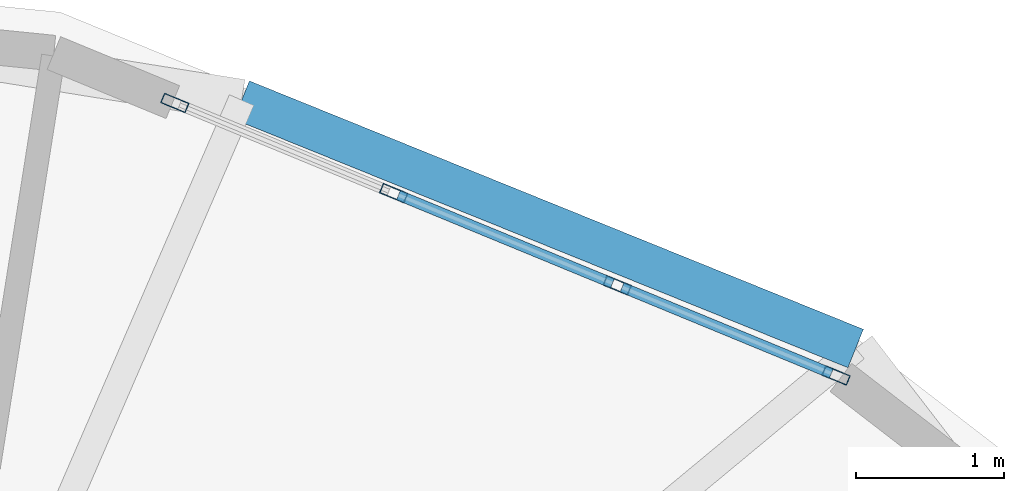
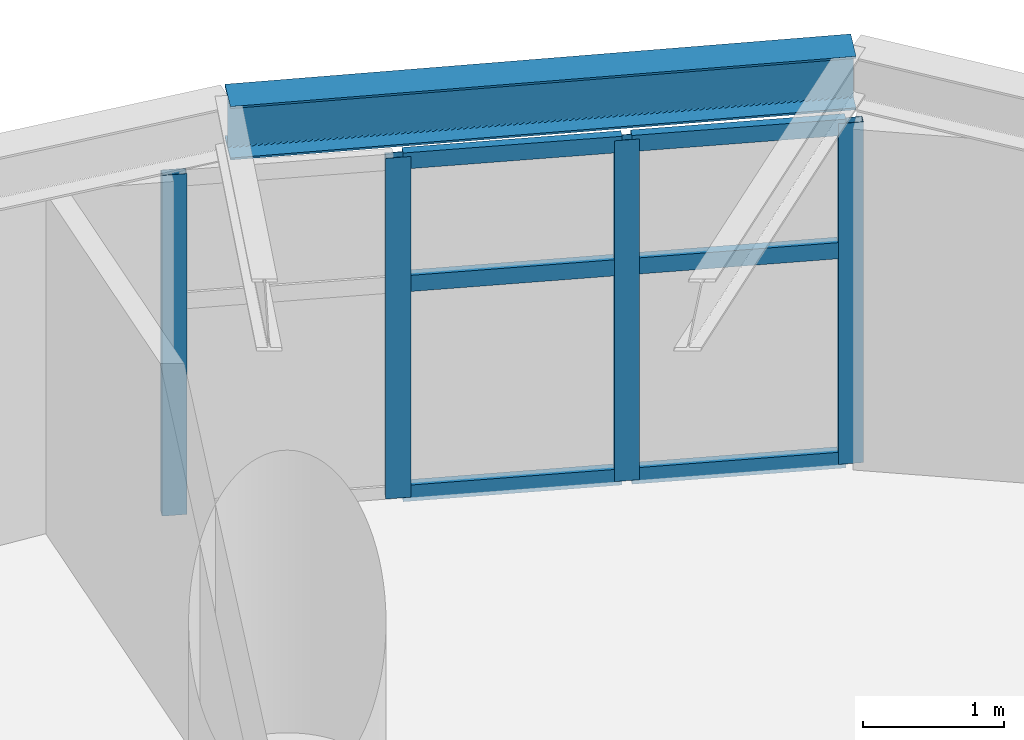
# One storey, part 10 of 19: 10 members, 1 beam, 1 element without a shape of its own.
"""IFC4 building model written with IfcOpenShell, lengths in metres."""

from ifc_helpers import new_model, si_unit, direction, frame, origin, origin_2d, place, context, subcontext, project, spatial, hollow_rectangle, i_section, extrude, material, layer, layer_set, material_profile, profile_set, type_object, element, aggregate, save


model = new_model("IFC4")

# Units and contexts
model_context = context("Model", 3, precision=1e-05, world=origin(), true_north=direction((0.0, 1.0)))
body_context = subcontext(model_context, "Body", "Model", "MODEL_VIEW")
ifc_project = project(units=[si_unit("LENGTHUNIT", "METRE"), si_unit("AREAUNIT", "SQUARE_METRE"), si_unit("VOLUMEUNIT", "CUBIC_METRE"), si_unit("PLANEANGLEUNIT", "RADIAN"), si_unit("MASSUNIT", "GRAM", prefix="KILO")], contexts=[model_context])

# Site, building, storey
site_placement = place(None, origin())
site = spatial("IfcSite", under=ifc_project, at=site_placement, CompositionType="ELEMENT")
building_placement = place(site_placement, origin())
building = spatial("IfcBuilding", under=site, at=building_placement, Name="Cununo Teusaquillo Station Towers", CompositionType="ELEMENT")
storey_placement = place(building_placement, frame((0.0, 0.0, 132.8798828125)))
storey = spatial("IfcBuildingStorey", under=building, at=storey_placement, Name="L42", CompositionType="ELEMENT", Elevation=132.8798828125)

# Beam
ifc_material_1 = material(Name="Steel ASTM A572 Grade 50", Category="steel")
ifc_material_profile_1 = material_profile(ifc_material_1, i_section(OverallWidth=0.280029296875, OverallDepth=0.462890625, WebThickness=0.0107421875, FlangeThickness=0.017333984375, FilletRadius=0.013916015625, at=origin_2d()), Name="W18X76")
ifc_profile_set_1 = profile_set([ifc_material_profile_1], Name="Steel ASTM A572 Grade 50")
beam_type = type_object("IfcBeamType", Name="BM-RING-Z2", PredefinedType="SPANDREL", material=ifc_profile_set_1)
beam_placement = place(storey_placement, frame((63.9111328125, 39.341064453125, 3.20849609375), z_axis=(-0.927007712072, 0.375042266631, 0.0), x_axis=(-0.375042266631, -0.927007712072, 0.0)))
element("IfcBeam", 1, at=beam_placement, inside=storey, type_object=beam_type, Name="L42 Tower B Spandrel Ring Beam 02", PredefinedType="SPANDREL", context=body_context, shape_type="SweptSolid", body=[
    extrude(i_section(OverallWidth=0.280029296875, OverallDepth=0.462890625, WebThickness=0.0107421875, FlangeThickness=0.017333984375, FilletRadius=0.013916015625, at=origin_2d()), origin(), (0.0, 0.0, 1.0), 4.480712890625),
])

# Curtain wall, members
ifc_material_2 = material(Name="Ceramic-fritted dark low-E double glazing", Category="glass")
ifc_layer = layer(ifc_material_2, 0.179931640625)
ifc_layer_set = layer_set([ifc_layer], Name="Ceramic-fritted dark low-E double glazing")
curtain_wall_type = type_object("IfcCurtainWallType", Name="CW-SYS-04", PredefinedType="USERDEFINED", material=ifc_layer_set)
curtain_wall_placement = place(storey_placement, origin())
curtain_wall = element("IfcCurtainWall", 2, at=curtain_wall_placement, inside=storey, type_object=curtain_wall_type, Name="L42 Tower B Facade Curtain Wall C01", ObjectType="FRITTED GLAZING", PredefinedType="USERDEFINED")
ifc_material_3 = material(Name="Anodised dark bronze aluminium EN AW-6063-T6", Category="aluminium")
ifc_material_profile_2 = material_profile(ifc_material_3, hollow_rectangle(XDim=0.070068359375, YDim=0.179931640625, WallThickness=0.00390625, at=origin_2d()), Name="CW-MULL-70x180")
ifc_profile_set_2 = profile_set([ifc_material_profile_2], Name="Anodised dark bronze aluminium EN AW-6063-T6")
member_type_1 = type_object("IfcMemberType", Name="CWM-180", PredefinedType="MULLION", material=ifc_profile_set_2)
member_1_placement = place(storey_placement, frame((59.3056640625, 41.001953125, 0.0), z_axis=(0.0, 0.0, 1.0), x_axis=(0.381030560176, 0.924562443652, 0.0)))
member_1 = element("IfcMember", 3, at=member_1_placement, type_object=member_type_1, Name="CW-04 mullion 1", PredefinedType="MULLION", context=body_context, shape_type="SweptSolid", body=[
    extrude(hollow_rectangle(XDim=0.070068359375, YDim=0.179931640625, WallThickness=0.00390625, at=origin_2d()), origin(), (0.0, 0.0, 1.0), 2.94921875),
])
member_2_placement = place(storey_placement, frame((60.785888671875, 40.39208984375, 0.0), z_axis=(0.0, 0.0, 1.0), x_axis=(0.381030560176, 0.924562443652, 0.0)))
member_2 = element("IfcMember", 4, at=member_2_placement, type_object=member_type_1, Name="CW-04 mullion 2", PredefinedType="MULLION", context=body_context, shape_type="SweptSolid", body=[
    extrude(hollow_rectangle(XDim=0.070068359375, YDim=0.179931640625, WallThickness=0.00390625, at=origin_2d()), origin(), (0.0, 0.0, 1.0), 2.94921875),
])
member_3_placement = place(storey_placement, frame((62.298583984375, 39.7685546875, 0.0), z_axis=(0.0, 0.0, 1.0), x_axis=(0.381030560176, 0.924562443652, 0.0)))
member_3 = element("IfcMember", 5, at=member_3_placement, type_object=member_type_1, Name="CW-04 mullion 3", PredefinedType="MULLION", context=body_context, shape_type="SweptSolid", body=[
    extrude(hollow_rectangle(XDim=0.070068359375, YDim=0.179931640625, WallThickness=0.00390625, at=origin_2d()), origin(), (0.0, 0.0, 1.0), 2.94921875),
])
member_4_placement = place(storey_placement, frame((63.77880859375, 39.158447265625, 0.0), z_axis=(0.0, 0.0, 1.0), x_axis=(0.381030560176, 0.924562443652, 0.0)))
member_4 = element("IfcMember", 6, at=member_4_placement, type_object=member_type_1, Name="CW-04 mullion 4", PredefinedType="MULLION", context=body_context, shape_type="SweptSolid", body=[
    extrude(hollow_rectangle(XDim=0.070068359375, YDim=0.179931640625, WallThickness=0.00390625, at=origin_2d()), origin(), (0.0, 0.0, 1.0), 2.94921875),
])
ifc_material_4 = material(Name="Anodised dark bronze aluminium EN AW-6063-T6", Category="aluminium")
ifc_material_profile_3 = material_profile(ifc_material_4, hollow_rectangle(XDim=0.070068359375, YDim=0.139892578125, WallThickness=0.00390625, at=origin_2d()), Name="CW-TRAN-70x140")
ifc_profile_set_3 = profile_set([ifc_material_profile_3], Name="Anodised dark bronze aluminium EN AW-6063-T6")
member_type_2 = type_object("IfcMemberType", Name="CWT-140", PredefinedType="USERDEFINED", material=ifc_profile_set_3)
member_5_placement = place(storey_placement, frame((60.818115234375, 40.378662109375, 0.03515625), z_axis=(0.924577983912, -0.380992849887, 0.0), x_axis=(0.380992849887, 0.924577983912, 0.0)))
member_5 = element("IfcMember", 7, at=member_5_placement, type_object=member_type_2, Name="CW-04 transom 2.1", ObjectType="TRANSOM", PredefinedType="USERDEFINED", context=body_context, shape_type="SweptSolid", body=[
    extrude(hollow_rectangle(XDim=0.070068359375, YDim=0.139892578125, WallThickness=0.00390625, at=origin_2d()), origin(), (0.0, 0.0, 1.0), 1.566162109375),
])
member_6_placement = place(storey_placement, frame((60.818115234375, 40.378662109375, 1.85009765625), z_axis=(0.924577983912, -0.380992849887, 0.0), x_axis=(0.380992849887, 0.924577983912, 0.0)))
member_6 = element("IfcMember", 8, at=member_6_placement, type_object=member_type_2, Name="CW-04 transom 2.2", ObjectType="TRANSOM", PredefinedType="USERDEFINED", context=body_context, shape_type="SweptSolid", body=[
    extrude(hollow_rectangle(XDim=0.070068359375, YDim=0.139892578125, WallThickness=0.00390625, at=origin_2d()), origin(), (0.0, 0.0, 1.0), 1.566162109375),
])
member_7_placement = place(storey_placement, frame((60.818115234375, 40.378662109375, 2.9140625), z_axis=(0.924577983912, -0.380992849887, 0.0), x_axis=(0.380992849887, 0.924577983912, 0.0)))
member_7 = element("IfcMember", 9, at=member_7_placement, type_object=member_type_2, Name="CW-04 transom 2.3", ObjectType="TRANSOM", PredefinedType="USERDEFINED", context=body_context, shape_type="SweptSolid", body=[
    extrude(hollow_rectangle(XDim=0.070068359375, YDim=0.139892578125, WallThickness=0.00390625, at=origin_2d()), origin(), (0.0, 0.0, 1.0), 1.566162109375),
])
member_8_placement = place(storey_placement, frame((62.330810546875, 39.75537109375, 0.03515625), z_axis=(0.924555881283, -0.381046483233, 0.0), x_axis=(0.381046483233, 0.924555881283, 0.0)))
member_8 = element("IfcMember", 10, at=member_8_placement, type_object=member_type_2, Name="CW-04 transom 3.1", ObjectType="TRANSOM", PredefinedType="USERDEFINED", context=body_context, shape_type="SweptSolid", body=[
    extrude(hollow_rectangle(XDim=0.070068359375, YDim=0.139892578125, WallThickness=0.00390625, at=origin_2d()), origin(), (0.0, 0.0, 1.0), 1.53125),
])
member_9_placement = place(storey_placement, frame((62.330810546875, 39.75537109375, 1.85009765625), z_axis=(0.924555881283, -0.381046483233, 0.0), x_axis=(0.381046483233, 0.924555881283, 0.0)))
member_9 = element("IfcMember", 11, at=member_9_placement, type_object=member_type_2, Name="CW-04 transom 3.2", ObjectType="TRANSOM", PredefinedType="USERDEFINED", context=body_context, shape_type="SweptSolid", body=[
    extrude(hollow_rectangle(XDim=0.070068359375, YDim=0.139892578125, WallThickness=0.00390625, at=origin_2d()), origin(), (0.0, 0.0, 1.0), 1.53125),
])
member_10_placement = place(storey_placement, frame((62.330810546875, 39.75537109375, 2.9140625), z_axis=(0.924555881283, -0.381046483233, 0.0), x_axis=(0.381046483233, 0.924555881283, 0.0)))
member_10 = element("IfcMember", 12, at=member_10_placement, type_object=member_type_2, Name="CW-04 transom 3.3", ObjectType="TRANSOM", PredefinedType="USERDEFINED", context=body_context, shape_type="SweptSolid", body=[
    extrude(hollow_rectangle(XDim=0.070068359375, YDim=0.139892578125, WallThickness=0.00390625, at=origin_2d()), origin(), (0.0, 0.0, 1.0), 1.53125),
])
aggregate(curtain_wall, [member_1, member_2, member_3, member_4, member_5, member_6, member_7, member_8, member_9, member_10])

save(model, "model.ifc")
